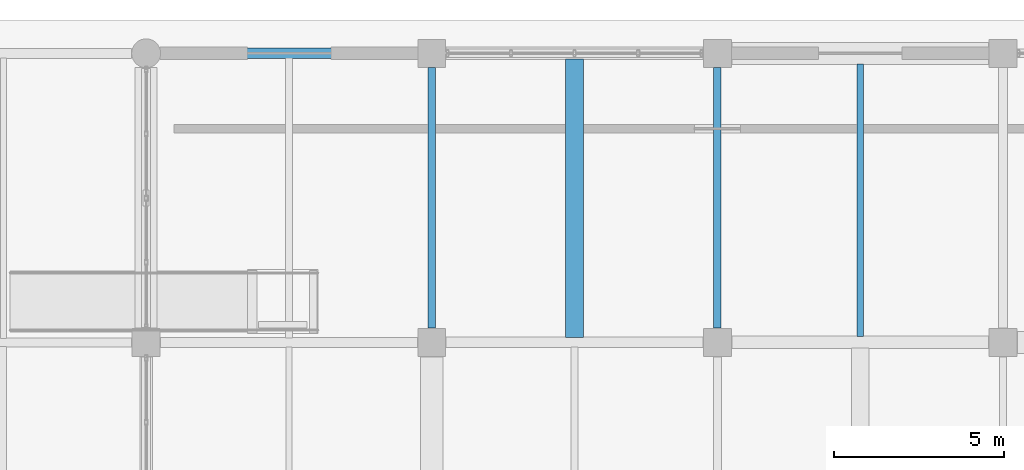
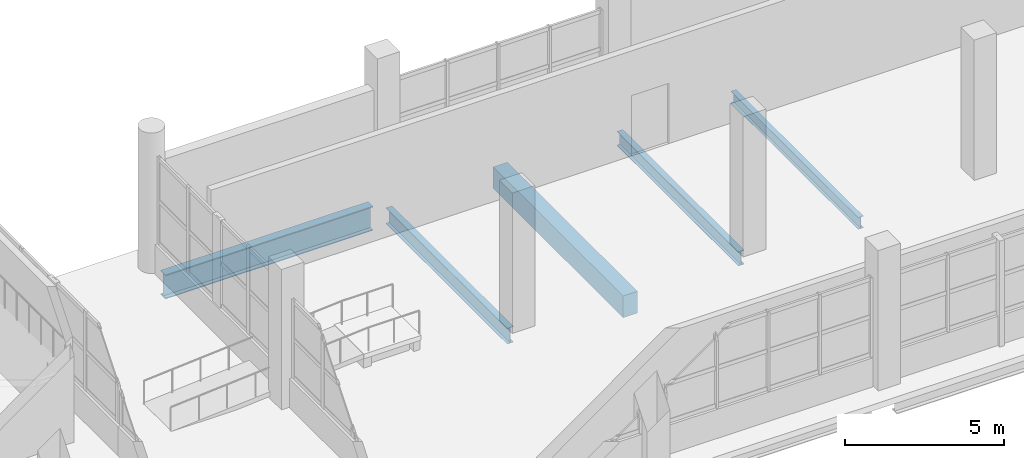
# One storey, part 66 of 107: 5 beams.
"""IFC4 building model written with IfcOpenShell, lengths in metres."""

from ifc_helpers import new_model, si_unit, direction, frame, origin, origin_2d, place, context, subcontext, project, spatial, rectangle, i_section, extrude, material, material_profile, profile_set, type_object, element, save


model = new_model("IFC4")

# Units and contexts
model_context = context("Model", 3, precision=1e-05, world=origin(), true_north=direction((0.0, 1.0)))
body_context = subcontext(model_context, "Body", "Model", "MODEL_VIEW")
ifc_project = project(units=[si_unit("LENGTHUNIT", "METRE"), si_unit("AREAUNIT", "SQUARE_METRE"), si_unit("VOLUMEUNIT", "CUBIC_METRE"), si_unit("PLANEANGLEUNIT", "RADIAN"), si_unit("MASSUNIT", "GRAM", prefix="KILO")], contexts=[model_context])

# Site, building, storey
site_placement = place(None, origin())
site = spatial("IfcSite", under=ifc_project, at=site_placement, CompositionType="ELEMENT")
building_placement = place(site_placement, origin())
building = spatial("IfcBuilding", under=site, at=building_placement, Name="Solvento Point Concert Hall", CompositionType="ELEMENT")
storey_placement = place(building_placement, origin())
storey = spatial("IfcBuildingStorey", under=building, at=storey_placement, Name="L00", CompositionType="ELEMENT", Elevation=0.0)

# Beams
ifc_material_1 = material(Name="Concrete C35/45", Category="concrete")
ifc_material_profile_1 = material_profile(ifc_material_1, rectangle(XDim=0.52001953125, YDim=0.840087890625, at=origin_2d()), Name="RC-BM-520X840")
ifc_profile_set_1 = profile_set([ifc_material_profile_1], Name="Concrete C35/45")
beam_type_1 = type_object("IfcBeamType", Name="Beam_RC_520x840", PredefinedType="BEAM", material=ifc_profile_set_1)
beam_1_placement = place(storey_placement, frame((36.60009765625, 127.638916015625, -0.833984375), z_axis=(0.0, 1.0, 0.0), x_axis=(-1.0, 0.0, 0.0)))
element("IfcBeam", 1, at=beam_1_placement, inside=storey, type_object=beam_type_1, Name="Secondary floor joist B-54 L00", PredefinedType="BEAM", context=body_context, shape_type="SweptSolid", body=[
    extrude(rectangle(XDim=0.52001953125, YDim=0.840087890625, at=origin_2d()), origin(), (0.0, 0.0, 1.0), 8.195556640625),
])
ifc_material_2 = material(Name="Structural Steel ASTM A992 Grade 50", Category="steel")
ifc_material_profile_2 = material_profile(ifc_material_2, i_section(OverallWidth=0.214111328125, OverallDepth=0.549072265625, WebThickness=0.0146484375, FlangeThickness=0.023681640625, at=origin_2d()), Name="W21X93")
ifc_profile_set_2 = profile_set([ifc_material_profile_2], Name="Structural Steel ASTM A992 Grade 50")
beam_type_2 = type_object("IfcBeamType", Name="Beam_W21X93", PredefinedType="BEAM", material=ifc_profile_set_2)
beam_2_placement = place(storey_placement, frame((40.800048828125, 127.924072265625, -0.6884765625), z_axis=(0.0, 1.0, 0.0), x_axis=(-1.0, 0.0, 0.0)))
element("IfcBeam", 2, at=beam_2_placement, inside=storey, type_object=beam_type_2, Name="Primary girder B-48 L00", PredefinedType="BEAM", context=body_context, shape_type="SweptSolid", body=[
    extrude(i_section(OverallWidth=0.214111328125, OverallDepth=0.549072265625, WebThickness=0.0146484375, FlangeThickness=0.023681640625, at=origin_2d()), origin(), (0.0, 0.0, 1.0), 7.65185546875),
])
ifc_material_3 = material(Name="Structural Steel ASTM A992 Grade 50", Category="steel")
ifc_material_profile_3 = material_profile(ifc_material_3, i_section(OverallWidth=0.228515625, OverallDepth=0.60791015625, WebThickness=0.01123046875, FlangeThickness=0.017333984375, at=origin_2d()), Name="W24X76")
ifc_profile_set_3 = profile_set([ifc_material_profile_3], Name="Structural Steel ASTM A992 Grade 50")
beam_type_3 = type_object("IfcBeamType", Name="Beam_W24X76", PredefinedType="BEAM", material=ifc_profile_set_3)
beam_3_placement = place(storey_placement, frame((32.39990234375, 127.924072265625, -0.718017578125), z_axis=(0.0, 1.0, 0.0), x_axis=(-1.0, 0.0, 0.0)))
element("IfcBeam", 3, at=beam_3_placement, inside=storey, type_object=beam_type_3, Name="Primary girder B-42 L00", PredefinedType="BEAM", context=body_context, shape_type="SweptSolid", body=[
    extrude(i_section(OverallWidth=0.228515625, OverallDepth=0.60791015625, WebThickness=0.01123046875, FlangeThickness=0.017333984375, at=origin_2d()), origin(), (0.0, 0.0, 1.0), 7.65185546875),
])
ifc_material_4 = material(Name="Structural Steel ASTM A992 Grade 50", Category="steel")
ifc_material_profile_4 = material_profile(ifc_material_4, i_section(OverallWidth=0.3076171875, OverallDepth=0.927001953125, WebThickness=0.019287109375, FlangeThickness=0.031982421875, at=origin_2d()), Name="W36X194")
ifc_profile_set_4 = profile_set([ifc_material_profile_4], Name="Structural Steel ASTM A992 Grade 50")
beam_type_4 = type_object("IfcBeamType", Name="Girder_W36X194", PredefinedType="USERDEFINED", material=ifc_profile_set_4)
beam_4_placement = place(storey_placement, frame((24.424072265625, 136.0, -0.87744140625), z_axis=(1.0, 0.0, 0.0), x_axis=(0.0, 1.0, 0.0)))
element("IfcBeam", 4, at=beam_4_placement, inside=storey, type_object=beam_type_4, Name="Primary girder B-61 L00", ObjectType="GIRDER", PredefinedType="USERDEFINED", context=body_context, shape_type="SweptSolid", body=[
    extrude(i_section(OverallWidth=0.3076171875, OverallDepth=0.927001953125, WebThickness=0.019287109375, FlangeThickness=0.031982421875, at=origin_2d()), origin(), (0.0, 0.0, 1.0), 7.552001953125),
])
ifc_material_5 = material(Name="Structural Steel ASTM A992 Grade 50", Category="steel")
ifc_material_profile_5 = material_profile(ifc_material_5, i_section(OverallWidth=0.1904296875, OverallDepth=0.45703125, WebThickness=0.009033203125, FlangeThickness=0.014404296875, at=origin_2d()), Name="W18X50")
ifc_profile_set_5 = profile_set([ifc_material_profile_5], Name="Structural Steel ASTM A992 Grade 50")
beam_type_5 = type_object("IfcBeamType", Name="Joist_W18X50", PredefinedType="JOIST", material=ifc_profile_set_5)
beam_5_placement = place(storey_placement, frame((45.0, 127.66552734375, -0.642578125), z_axis=(0.0, 1.0, 0.0), x_axis=(-1.0, 0.0, 0.0)))
element("IfcBeam", 5, at=beam_5_placement, inside=storey, type_object=beam_type_5, Name="Secondary floor joist B-66 L00", PredefinedType="JOIST", context=body_context, shape_type="SweptSolid", body=[
    extrude(i_section(OverallWidth=0.1904296875, OverallDepth=0.45703125, WebThickness=0.009033203125, FlangeThickness=0.014404296875, at=origin_2d()), origin(), (0.0, 0.0, 1.0), 8.0244140625),
])

save(model, "model.ifc")
